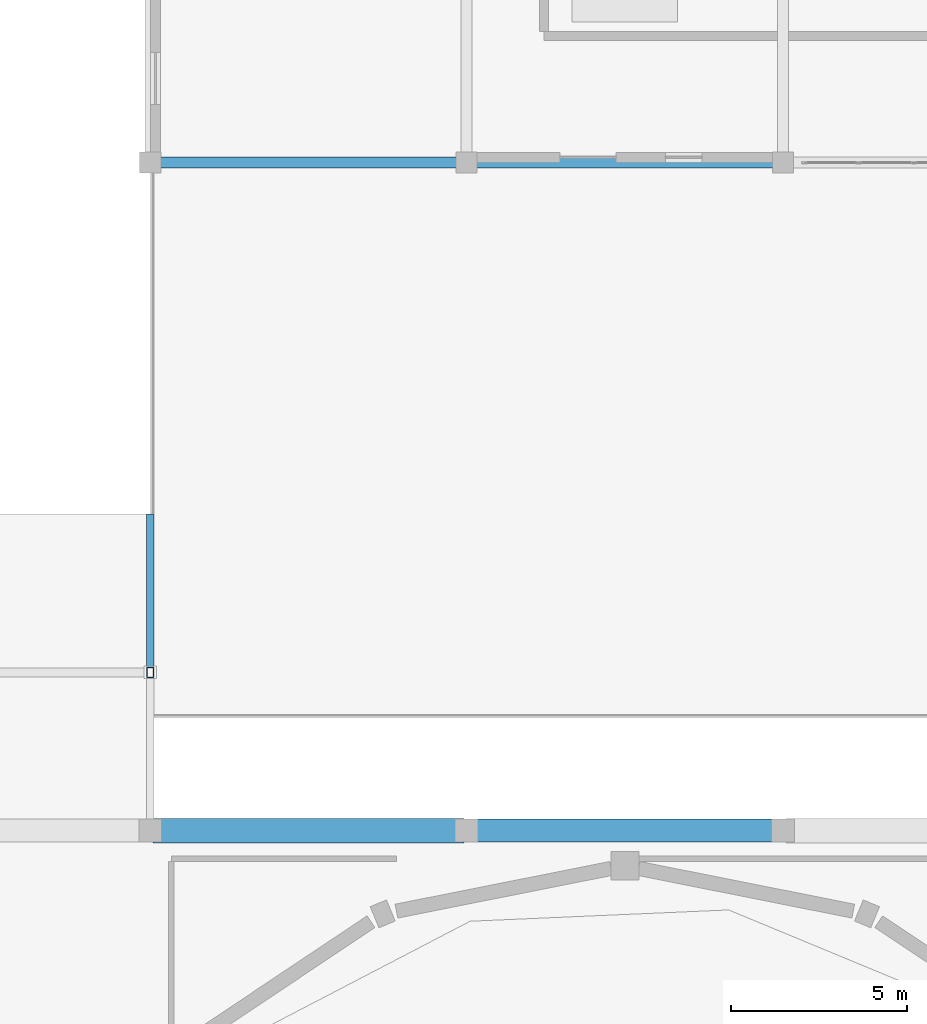
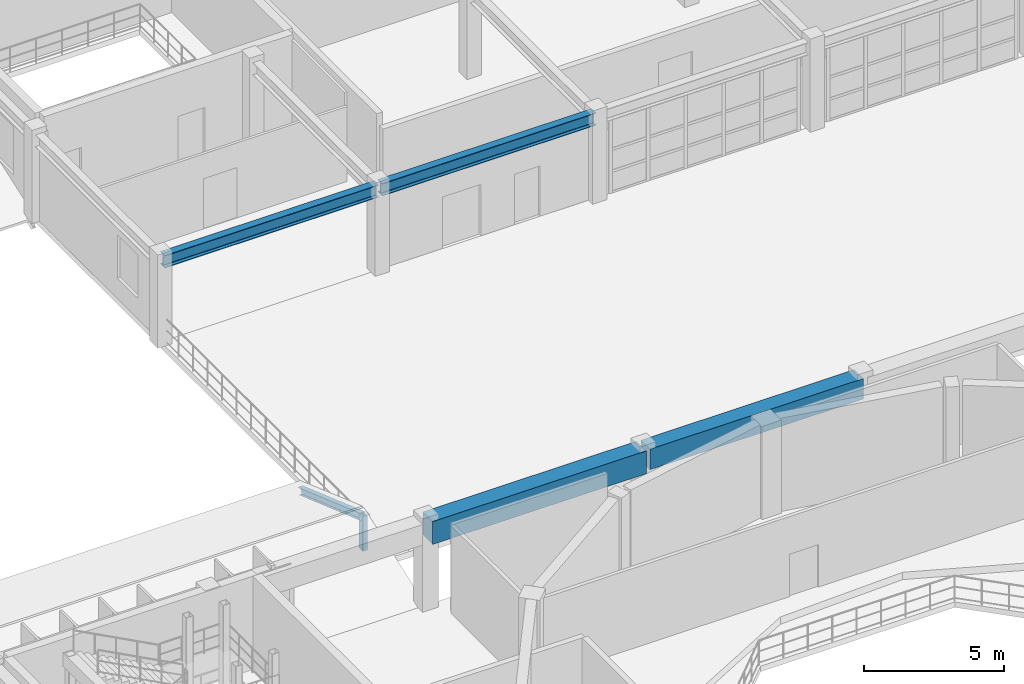
# One storey, part 46 of 80: 4 beams, 2 members.
"""IFC4 building model written with IfcOpenShell, lengths in metres."""

from ifc_helpers import new_model, si_unit, direction, frame, origin, origin_2d, place, context, subcontext, project, spatial, rectangle, hollow_rectangle, i_section, extrude, material, material_profile, profile_set, type_object, element, save


model = new_model("IFC4")

# Units and contexts
model_context = context("Model", 3, precision=1e-05, world=origin(), true_north=direction((0.0, 1.0)))
body_context = subcontext(model_context, "Body", "Model", "MODEL_VIEW")
ifc_project = project(units=[si_unit("LENGTHUNIT", "METRE"), si_unit("AREAUNIT", "SQUARE_METRE"), si_unit("VOLUMEUNIT", "CUBIC_METRE"), si_unit("PLANEANGLEUNIT", "RADIAN"), si_unit("MASSUNIT", "GRAM", prefix="KILO")], contexts=[model_context])

# Site, building, storey
site_placement = place(None, origin())
site = spatial("IfcSite", under=ifc_project, at=site_placement, CompositionType="ELEMENT")
building_placement = place(site_placement, origin())
building = spatial("IfcBuilding", under=site, at=building_placement, Name="Miravela Opera House", CompositionType="ELEMENT")
storey_placement = place(building_placement, frame((0.0, 0.0, 17.679931640625)))
storey = spatial("IfcBuildingStorey", under=building, at=storey_placement, Name="L04", CompositionType="ELEMENT", Elevation=17.679931640625)

# Beams
ifc_material_1 = material(Name="Concrete C40/50", Category="concrete")
ifc_material_profile_1 = material_profile(ifc_material_1, rectangle(XDim=0.64990234375, YDim=0.89990234375, at=origin_2d()), Name="RC-BM-650X900")
ifc_profile_set_1 = profile_set([ifc_material_profile_1])
beam_type_1 = type_object("IfcBeamType", Name="STR-BM-RC650X900", PredefinedType="BEAM", material=ifc_profile_set_1)
beam_1_placement = place(storey_placement, frame((72.080078125, 75.0, 3.39013671875), z_axis=(1.0, 0.0, 0.0), x_axis=(0.0, 1.0, 0.0)))
element("IfcBeam", 1, at=beam_1_placement, inside=storey, type_object=beam_type_1, Name="Floor Girder L04 9-10/I", PredefinedType="BEAM", context=body_context, shape_type="SweptSolid", body=[
    extrude(rectangle(XDim=0.64990234375, YDim=0.89990234375, at=origin_2d()), origin(), (0.0, 0.0, 1.0), 8.83984375),
])
ifc_material_profile_2 = material_profile(ifc_material_1, rectangle(XDim=0.699951171875, YDim=1.0, at=origin_2d()), Name="RC-BM-700X1000")
ifc_profile_set_2 = profile_set([ifc_material_profile_2])
beam_type_2 = type_object("IfcBeamType", Name="STR-BM-RC700X1000", PredefinedType="BEAM", material=ifc_profile_set_2)
beam_2_placement = place(storey_placement, frame((63.080078125, 75.0, 3.340087890625), z_axis=(1.0, 0.0, 0.0), x_axis=(0.0, 1.0, 0.0)))
element("IfcBeam", 2, at=beam_2_placement, inside=storey, type_object=beam_type_2, Name="Floor Girder L04 8-9/I", PredefinedType="BEAM", context=body_context, shape_type="SweptSolid", body=[
    extrude(rectangle(XDim=0.699951171875, YDim=1.0, at=origin_2d()), origin(), (0.0, 0.0, 1.0), 8.83984375),
])
ifc_material_2 = material(Name="Structural steel ASTM A992 Gr. 50", Category="steel")
ifc_material_profile_3 = material_profile(ifc_material_2, i_section(OverallWidth=0.31201171875, OverallDepth=0.54296875, WebThickness=0.0126953125, FlangeThickness=0.020263671875, FilletRadius=0.01611328125, at=origin_2d()), Name="W530X150")
ifc_profile_set_3 = profile_set([ifc_material_profile_3])
beam_type_3 = type_object("IfcBeamType", Name="STR-BM-W530X150", PredefinedType="BEAM", material=ifc_profile_set_3)
for number, where, z_axis, x_axis, name in (
    (3, (63.080078125, 94.0, 3.568603515625), (1.0, 0.0, 0.0), (0.0, 1.0, 0.0), "Roof Eave Girder ROOF-V3-TOP S1"),
    (4, (72.080078125, 94.0, 3.568603515625), (1.0, 0.0, 0.0), (0.0, 1.0, 0.0), "Roof Eave Girder ROOF-V3-TOP S2"),
):
    element("IfcBeam", number, at=place(storey_placement, frame(where, z_axis=z_axis, x_axis=x_axis)), inside=storey, type_object=beam_type_3, Name=name, PredefinedType="BEAM", context=body_context, shape_type="SweptSolid", body=[
        extrude(i_section(OverallWidth=0.31201171875, OverallDepth=0.54296875, WebThickness=0.0126953125, FlangeThickness=0.020263671875, FilletRadius=0.01611328125, at=origin_2d()), origin(), (0.0, 0.0, 1.0), 8.83984375),
    ])

# Members
ifc_material_3 = material(Name="Hollow structural steel ASTM A500 Gr. C", Category="steel")
ifc_material_profile_4 = material_profile(ifc_material_3, hollow_rectangle(XDim=0.199951171875, YDim=0.300048828125, WallThickness=0.011962890625, InnerFilletRadius=0.011962890625, OuterFilletRadius=0.02392578125, at=origin_2d()), Name="HSS300X200X12")
ifc_profile_set_4 = profile_set([ifc_material_profile_4])
member_type_1 = type_object("IfcMemberType", Name="STR-MEM-POST-HSS300X200", PredefinedType="POST", material=ifc_profile_set_4)
member_1_placement = place(storey_placement, frame((63.0, 79.5, -0.25), z_axis=(0.0, 0.0, 1.0), x_axis=(1.0, 0.0, 0.0)))
element("IfcMember", 5, at=member_1_placement, inside=storey, type_object=member_type_1, Name="Roof Gable King Post ROOF-V3-WEST-S E", PredefinedType="POST", context=body_context, shape_type="SweptSolid", body=[
    extrude(hollow_rectangle(XDim=0.199951171875, YDim=0.300048828125, WallThickness=0.011962890625, InnerFilletRadius=0.011962890625, OuterFilletRadius=0.02392578125, at=origin_2d()), origin(), (0.0, 0.0, 1.0), 1.510009765625),
])
ifc_material_profile_5 = material_profile(ifc_material_2, i_section(OverallWidth=0.202880859375, OverallDepth=0.302978515625, WebThickness=0.007568359375, FlangeThickness=0.01318359375, FilletRadius=0.012939453125, at=origin_2d()), Name="W310X60")
ifc_profile_set_5 = profile_set([ifc_material_profile_5])
member_type_2 = type_object("IfcMemberType", Name="STR-MEM-RAFTER-2", PredefinedType="RAFTER", material=ifc_profile_set_5)
member_2_placement = place(storey_placement, frame((63.0, 83.949951171875, -0.39990234375), z_axis=(0.0, -0.943687918104, 0.3308369889), x_axis=(1.0, 0.0, 0.0)))
element("IfcMember", 6, at=member_2_placement, inside=storey, type_object=member_type_2, Name="Pitched Roof Rafter ROOF-V3-WEST-S N5", PredefinedType="RAFTER", context=body_context, shape_type="SweptSolid", body=[
    extrude(i_section(OverallWidth=0.202880859375, OverallDepth=0.302978515625, WebThickness=0.007568359375, FlangeThickness=0.01318359375, FilletRadius=0.012939453125, at=origin_2d()), origin(), (0.0, 0.0, 1.0), 4.715576171875),
])

save(model, "model.ifc")
